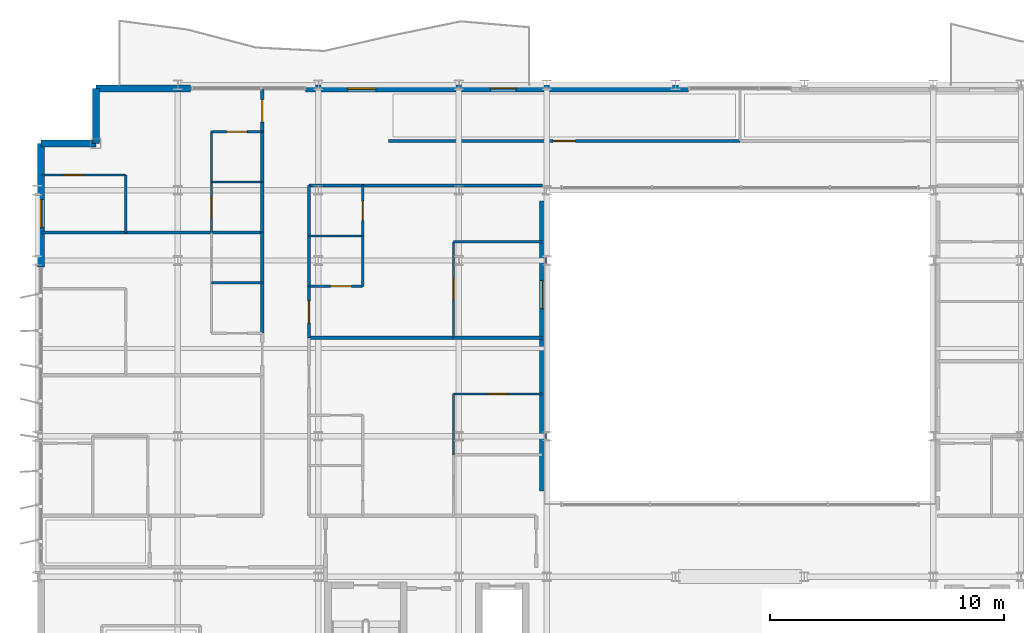
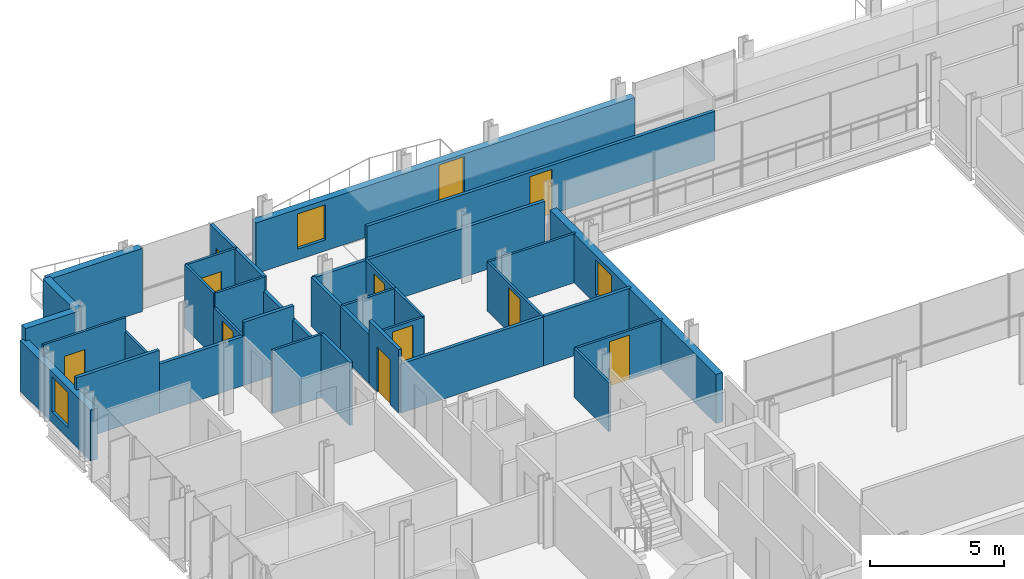
# One storey, part 29 of 39: 37 walls, 11 doors, 3 windows, 14 openings.
"""IFC4 building model written with IfcOpenShell, lengths in metres."""

from ifc_helpers import new_model, si_unit, direction, frame, frame_2d, origin, place, context, subcontext, project, spatial, rectangle, extrude, material, layer, layer_set, type_object, element, fill, save


model = new_model("IFC4")

# Units and contexts
model_context = context("Model", 3, precision=1e-05, world=origin(), true_north=direction((0.0, 1.0)))
body_context = subcontext(model_context, "Body", "Model", "MODEL_VIEW")
ifc_project = project(units=[si_unit("LENGTHUNIT", "METRE"), si_unit("AREAUNIT", "SQUARE_METRE"), si_unit("VOLUMEUNIT", "CUBIC_METRE"), si_unit("PLANEANGLEUNIT", "RADIAN"), si_unit("MASSUNIT", "GRAM", prefix="KILO")], contexts=[model_context])

# Site, building, storey
site_placement = place(None, origin())
site = spatial("IfcSite", under=ifc_project, at=site_placement, CompositionType="ELEMENT")
building_placement = place(site_placement, origin())
building = spatial("IfcBuilding", under=site, at=building_placement, Name="Brevholm Reach", CompositionType="ELEMENT")
storey_placement = place(building_placement, frame((0.0, 0.0, 103.5)))
storey = spatial("IfcBuildingStorey", under=building, at=storey_placement, Name="L30", CompositionType="ELEMENT", Elevation=103.5)

# Walls
ifc_material_1 = material(Name="Concrete C40/50", Category="concrete")
ifc_layer_1 = layer(ifc_material_1, 0.300048828125)
ifc_layer_set_1 = layer_set([ifc_layer_1], Name="Concrete C40/50")
wall_type_1 = type_object("IfcWallType", Name="WAL-EXT-300", PredefinedType="STANDARD", material=ifc_layer_set_1)
for number, where, z_axis, x_axis, name in (
    (1, (2.5, 30.85009765625, 0.0), (0.0, 0.0, 1.0), (0.0, -1.0, 0.0), "L30 Facade Wall WAL-L30-CNW1"),
    (2, (2.5, 28.5, 0.0), (0.0, 0.0, 1.0), (-1.0, 0.0, 0.0), "L30 Facade Wall WAL-L30-CNW2"),
):
    element("IfcWall", number, at=place(storey_placement, frame(where, z_axis=z_axis, x_axis=x_axis)), inside=storey, type_object=wall_type_1, Name=name, PredefinedType="STANDARD", context=body_context, shape_type="SweptSolid", body=[
        extrude(rectangle(XDim=2.35009765625, YDim=0.300048828125, at=frame_2d((1.175048828125, 0.0))), origin(), (0.0, 0.0, 1.0), 2.8798828125),
    ])

# Wall, opening, window
wall_1_placement = place(storey_placement, frame((0.14990234375, 28.5, 0.0), z_axis=(0.0, 0.0, 1.0), x_axis=(0.0, -1.0, 0.0)))
wall_1 = element("IfcWall", 3, at=wall_1_placement, inside=storey, type_object=wall_type_1, Name="L30 Facade Wall WAL-L30-W-N", PredefinedType="STANDARD", context=body_context, shape_type="SweptSolid", body=[
    extrude(rectangle(XDim=5.280029296875, YDim=0.300048828125, at=frame_2d((2.64013671875, 0.0))), origin(), (0.0, 0.0, 1.0), 2.322021484375),
])
opening_1_placement = place(wall_1_placement, frame((2.39990234375, 0.0, 0.501953125)))
opening_1 = element("IfcOpeningElement", 4, at=opening_1_placement, cuts=wall_1, Name="Opening WN-08", PredefinedType="OPENING", context=body_context, shape_type="SweptSolid", body=[
    extrude(rectangle(XDim=1.199951171875, YDim=1.60009765625, at=frame_2d((0.60009765625, 0.800048828125))), frame((0.0, 0.159912109375, 0.0), z_axis=(0.0, -1.0, 0.0), x_axis=(1.0, 0.0, 0.0)), (0.0, 0.0, 1.0), 0.320068359375),
])
ifc_material_2 = material(Name="Dark Anodised Aluminium and Solar-Control IGU Glass", Category="aluminium")
window_type = type_object("IfcWindowType", Name="WIN-RES-1200", PartitioningType="SINGLE_PANEL", PredefinedType="WINDOW", material=ifc_material_2)
window_1_placement = place(opening_1_placement, origin())
window_1 = element("IfcWindow", 5, at=window_1_placement, inside=storey, type_object=window_type, Name="L30 Window WIN-L30-WN-1", OverallHeight=1.60009765625, OverallWidth=1.199951171875, PartitioningType="SINGLE_PANEL", PredefinedType="WINDOW", context=body_context, shape_type="SweptSolid", body=[
    extrude(rectangle(XDim=1.199951171875, YDim=1.60009765625, at=frame_2d((0.60009765625, 0.800048828125))), frame((0.0, 0.030029296875, 0.0), z_axis=(0.0, -1.0, 0.0), x_axis=(1.0, 0.0, 0.0)), (0.0, 0.0, 1.0), 0.06005859375),
])
fill(opening_1, window_1)

# Wall
wall_2_placement = place(storey_placement, frame((2.5, 30.85009765625, 0.0), z_axis=(0.0, 0.0, 1.0), x_axis=(1.0, 0.0, 0.0)))
element("IfcWall", 6, at=wall_2_placement, inside=storey, type_object=wall_type_1, Name="L30 Facade Wall WAL-L30-NP-W0", PredefinedType="STANDARD", context=body_context, shape_type="SweptSolid", body=[
    extrude(rectangle(XDim=4.050048828125, YDim=0.300048828125, at=frame_2d((2.02490234375, 0.0))), origin(), (0.0, 0.0, 1.0), 2.8798828125),
])

# Wall, openings, door, window
wall_3_placement = place(storey_placement, frame((11.449951171875, 30.85009765625, 0.0), z_axis=(0.0, 0.0, 1.0), x_axis=(1.0, 0.0, 0.0)))
wall_3 = element("IfcWall", 7, at=wall_3_placement, inside=storey, type_object=wall_type_1, Name="L30 Facade Wall WAL-L30-NP-WL", PredefinedType="STANDARD", context=body_context, shape_type="SweptSolid", body=[
    extrude(rectangle(XDim=16.35009765625, YDim=0.300048828125, at=frame_2d((8.175048828125, 0.0))), origin(), (0.0, 0.0, 1.0), 2.322021484375),
])
opening_2_placement = place(wall_3_placement, frame((7.89794921875, 0.0, 0.0)))
opening_2 = element("IfcOpeningElement", 8, at=opening_2_placement, cuts=wall_3, Name="Opening BD-01", PredefinedType="OPENING", context=body_context, shape_type="SweptSolid", body=[
    extrude(rectangle(XDim=1.10009765625, YDim=2.199951171875, at=frame_2d((0.550048828125, 1.10009765625))), frame((0.0, 0.159912109375, 0.0), z_axis=(0.0, -1.0, 0.0), x_axis=(1.0, 0.0, 0.0)), (0.0, 0.0, 1.0), 0.320068359375),
])
opening_3_placement = place(wall_3_placement, frame((1.800048828125, 0.0, 0.501953125)))
opening_3 = element("IfcOpeningElement", 9, at=opening_3_placement, cuts=wall_3, Name="Opening WN-08", PredefinedType="OPENING", context=body_context, shape_type="SweptSolid", body=[
    extrude(rectangle(XDim=1.199951171875, YDim=1.60009765625, at=frame_2d((0.60009765625, 0.800048828125))), frame((0.0, 0.159912109375, 0.0), z_axis=(0.0, -1.0, 0.0), x_axis=(1.0, 0.0, 0.0)), (0.0, 0.0, 1.0), 0.320068359375),
])
ifc_material_3 = material(Name="Dark Anodised Aluminium and Triple-Glazed Glass", Category="aluminium")
door_type_1 = type_object("IfcDoorType", Name="DOR-BALC-1100", OperationType="NOTDEFINED", PredefinedType="DOOR", material=ifc_material_3)
door_1_placement = place(opening_2_placement, origin())
door_1 = element("IfcDoor", 10, at=door_1_placement, inside=storey, type_object=door_type_1, Name="L30 Exterior Door DOR-L30-BL-NW", OperationType="SINGLE_SWING_RIGHT", OverallHeight=2.199951171875, OverallWidth=1.10009765625, PredefinedType="DOOR", context=body_context, shape_type="SweptSolid", body=[
    extrude(rectangle(XDim=1.10009765625, YDim=2.199951171875, at=frame_2d((0.550048828125, 1.10009765625))), frame((0.0, 0.02490234375, 0.0), z_axis=(0.0, -1.0, 0.0), x_axis=(1.0, 0.0, 0.0)), (0.0, 0.0, 1.0), 0.050048828125),
])
fill(opening_2, door_1)
window_2_placement = place(opening_3_placement, origin())
window_2 = element("IfcWindow", 11, at=window_2_placement, inside=storey, type_object=window_type, Name="L30 Window WIN-L30-NP-WL1", OverallHeight=1.60009765625, OverallWidth=1.199951171875, PartitioningType="SINGLE_PANEL", PredefinedType="WINDOW", context=body_context, shape_type="SweptSolid", body=[
    extrude(rectangle(XDim=1.199951171875, YDim=1.60009765625, at=frame_2d((0.60009765625, 0.800048828125))), frame((0.0, 0.030029296875, 0.0), z_axis=(0.0, -1.0, 0.0), x_axis=(1.0, 0.0, 0.0)), (0.0, 0.0, 1.0), 0.06005859375),
])
fill(opening_3, window_2)

# Wall, opening, window
wall_4_placement = place(storey_placement, frame((21.60009765625, 26.050048828125, 0.0), z_axis=(0.0, 0.0, 1.0), x_axis=(0.0, -1.0, 0.0)))
wall_4 = element("IfcWall", 12, at=wall_4_placement, inside=storey, type_object=wall_type_1, Name="L30 Facade Wall WAL-L30-AT-W", PredefinedType="STANDARD", context=body_context, shape_type="SweptSolid", body=[
    extrude(rectangle(XDim=12.400146484375, YDim=0.300048828125, at=frame_2d((6.2001953125, 0.0))), origin(), (0.0, 0.0, 1.0), 2.242919921875),
])
opening_4_placement = place(wall_4_placement, frame((3.39990234375, 0.0, 0.423095703125)))
opening_4 = element("IfcOpeningElement", 13, at=opening_4_placement, cuts=wall_4, Name="Opening WN-08", PredefinedType="OPENING", context=body_context, shape_type="SweptSolid", body=[
    extrude(rectangle(XDim=1.199951171875, YDim=1.60009765625, at=frame_2d((0.60009765625, 0.800048828125))), frame((0.0, 0.159912109375, 0.0), z_axis=(0.0, -1.0, 0.0), x_axis=(1.0, 0.0, 0.0)), (0.0, 0.0, 1.0), 0.320068359375),
])
window_3_placement = place(opening_4_placement, origin())
window_3 = element("IfcWindow", 14, at=window_3_placement, inside=storey, type_object=window_type, Name="L30 Window WIN-L30-AT-W1", OverallHeight=1.60009765625, OverallWidth=1.199951171875, PartitioningType="SINGLE_PANEL", PredefinedType="WINDOW", context=body_context, shape_type="SweptSolid", body=[
    extrude(rectangle(XDim=1.199951171875, YDim=1.60009765625, at=frame_2d((0.60009765625, 0.800048828125))), frame((0.0, 0.030029296875, 0.0), z_axis=(0.0, -1.0, 0.0), x_axis=(1.0, 0.0, 0.0)), (0.0, 0.0, 1.0), 0.06005859375),
])
fill(opening_4, window_3)

# Walls
ifc_material_4 = material(Name="Moisture-Resistant Acoustic Gypsum Stud Partition 100 mm", Category="gypsum")
ifc_layer_2 = layer(ifc_material_4, 0.10009765625)
ifc_layer_set_2 = layer_set([ifc_layer_2], Name="Moisture-Resistant Acoustic Gypsum Stud Partition 100 mm")
wall_type_2 = type_object("IfcWallType", Name="WAL-PRT-100", PredefinedType="PARTITIONING", material=ifc_layer_set_2)
for number, where, z_axis, x_axis, name in (
    (15, (7.43798828125, 22.550048828125, 0.0), (0.0, 0.0, 1.0), (1.0, 0.0, 0.0), "L30 Internal Partition 094"),
    (16, (7.43798828125, 26.85009765625, 0.0), (0.0, 0.0, 1.0), (1.0, 0.0, 0.0), "L30 Internal Partition 103"),
):
    element("IfcWall", number, at=place(storey_placement, frame(where, z_axis=z_axis, x_axis=x_axis)), inside=storey, type_object=wall_type_2, Name=name, PredefinedType="PARTITIONING", context=body_context, shape_type="SweptSolid", body=[
        extrude(rectangle(XDim=2.157958984375, YDim=0.10009765625, at=frame_2d((1.0791015625, 0.0))), origin(), (0.0, 0.0, 1.0), 2.8798828125),
    ])

# Wall, opening, door
wall_5_placement = place(storey_placement, frame((7.43798828125, 24.7041015625, 0.0), z_axis=(0.0, 0.0, 1.0), x_axis=(0.0, 1.0, 0.0)))
wall_5 = element("IfcWall", 17, at=wall_5_placement, inside=storey, type_object=wall_type_2, Name="L30 Internal Partition 104", PredefinedType="PARTITIONING", context=body_context, shape_type="SweptSolid", body=[
    extrude(rectangle(XDim=2.14599609375, YDim=0.10009765625, at=frame_2d((1.072998046875, 0.0))), origin(), (0.0, 0.0, 1.0), 2.242919921875),
])
opening_5_placement = place(wall_5_placement, frame((0.6630859375, 0.0, 0.0)))
opening_5 = element("IfcOpeningElement", 18, at=opening_5_placement, cuts=wall_5, Name="Opening ID-03", PredefinedType="OPENING", context=body_context, shape_type="SweptSolid", body=[
    extrude(rectangle(XDim=0.820068359375, YDim=2.02001953125, at=frame_2d((0.41015625, 1.010009765625))), frame((0.0, 0.06005859375, 0.0), z_axis=(0.0, -1.0, 0.0), x_axis=(1.0, 0.0, 0.0)), (0.0, 0.0, 1.0), 0.1201171875),
])
ifc_material_5 = material(Name="Moisture-Resistant Painted Timber Internal Bathroom Door", Category="wood")
door_type_2 = type_object("IfcDoorType", Name="DOR-BATH-820", OperationType="NOTDEFINED", PredefinedType="DOOR", material=ifc_material_5)
door_2_placement = place(opening_5_placement, origin())
door_2 = element("IfcDoor", 19, at=door_2_placement, inside=storey, type_object=door_type_2, Name="L30 Internal Door 037", OperationType="SINGLE_SWING_LEFT", OverallHeight=2.02001953125, OverallWidth=0.820068359375, PredefinedType="DOOR", context=body_context, shape_type="SweptSolid", body=[
    extrude(rectangle(XDim=0.820068359375, YDim=2.02001953125, at=frame_2d((0.41015625, 1.010009765625))), frame((0.0, 0.02490234375, 0.0), z_axis=(0.0, -1.0, 0.0), x_axis=(1.0, 0.0, 0.0)), (0.0, 0.0, 1.0), 0.050048828125),
])
fill(opening_5, door_2)

wall_6_placement = place(storey_placement, frame((7.43798828125, 29.0, 0.0), z_axis=(0.0, 0.0, 1.0), x_axis=(1.0, 0.0, 0.0)))
wall_6 = element("IfcWall", 20, at=wall_6_placement, inside=storey, type_object=wall_type_2, Name="L30 Internal Partition 105", PredefinedType="PARTITIONING", context=body_context, shape_type="SweptSolid", body=[
    extrude(rectangle(XDim=2.157958984375, YDim=0.10009765625, at=frame_2d((1.0791015625, 0.0))), origin(), (0.0, 0.0, 1.0), 2.8798828125),
])
opening_6_placement = place(wall_6_placement, frame((0.638916015625, 0.0, 0.0)))
opening_6 = element("IfcOpeningElement", 21, at=opening_6_placement, cuts=wall_6, Name="Opening ID-01", PredefinedType="OPENING", context=body_context, shape_type="SweptSolid", body=[
    extrude(rectangle(XDim=0.8798828125, YDim=2.0400390625, at=frame_2d((0.43994140625, 1.02001953125))), frame((0.0, 0.06005859375, 0.0), z_axis=(0.0, -1.0, 0.0), x_axis=(1.0, 0.0, 0.0)), (0.0, 0.0, 1.0), 0.1201171875),
])
ifc_material_6 = material(Name="Lacquered Ash Solid-Core Acoustic Internal Door", Category="timber")
door_type_3 = type_object("IfcDoorType", Name="DOR-INT-880", OperationType="NOTDEFINED", PredefinedType="DOOR", material=ifc_material_6)
door_3_placement = place(opening_6_placement, origin())
door_3 = element("IfcDoor", 22, at=door_3_placement, inside=storey, type_object=door_type_3, Name="L30 Internal Door 038", OperationType="SINGLE_SWING_RIGHT", OverallHeight=2.0400390625, OverallWidth=0.8798828125, PredefinedType="DOOR", context=body_context, shape_type="SweptSolid", body=[
    extrude(rectangle(XDim=0.8798828125, YDim=2.0400390625, at=frame_2d((0.43994140625, 1.02001953125))), frame((0.0, 0.02490234375, 0.0), z_axis=(0.0, -1.0, 0.0), x_axis=(1.0, 0.0, 0.0)), (0.0, 0.0, 1.0), 0.050048828125),
])
fill(opening_6, door_3)

# Walls
wall_7_placement = place(storey_placement, frame((7.43798828125, 26.85400390625, 0.0), z_axis=(0.0, 0.0, 1.0), x_axis=(0.0, 1.0, 0.0)))
element("IfcWall", 23, at=wall_7_placement, inside=storey, type_object=wall_type_2, Name="L30 Internal Partition 106", PredefinedType="PARTITIONING", context=body_context, shape_type="SweptSolid", body=[
    extrude(rectangle(XDim=2.14599609375, YDim=0.10009765625, at=frame_2d((1.072998046875, 0.0))), origin(), (0.0, 0.0, 1.0), 2.8798828125),
])
wall_8_placement = place(storey_placement, frame((3.77197265625, 24.7041015625, 0.0), z_axis=(0.0, 0.0, 1.0), x_axis=(0.0, 1.0, 0.0)))
element("IfcWall", 24, at=wall_8_placement, inside=storey, type_object=wall_type_2, Name="L30 Internal Partition 107", PredefinedType="PARTITIONING", context=body_context, shape_type="SweptSolid", body=[
    extrude(rectangle(XDim=2.44580078125, YDim=0.10009765625, at=frame_2d((1.222900390625, 0.0))), origin(), (0.0, 0.0, 1.0), 2.242919921875),
])

# Wall, opening, door
wall_9_placement = place(storey_placement, frame((0.199951171875, 27.14990234375, 0.0), z_axis=(0.0, 0.0, 1.0), x_axis=(1.0, 0.0, 0.0)))
wall_9 = element("IfcWall", 25, at=wall_9_placement, inside=storey, type_object=wall_type_2, Name="L30 Internal Partition 108", PredefinedType="PARTITIONING", context=body_context, shape_type="SweptSolid", body=[
    extrude(rectangle(XDim=3.572021484375, YDim=0.10009765625, at=frame_2d((1.7861328125, 0.0))), origin(), (0.0, 0.0, 1.0), 2.8798828125),
])
opening_7_placement = place(wall_9_placement, frame((0.906005859375, 0.0, 0.0)))
opening_7 = element("IfcOpeningElement", 26, at=opening_7_placement, cuts=wall_9, Name="Opening ID-01", PredefinedType="OPENING", context=body_context, shape_type="SweptSolid", body=[
    extrude(rectangle(XDim=0.8798828125, YDim=2.0400390625, at=frame_2d((0.43994140625, 1.02001953125))), frame((0.0, 0.06005859375, 0.0), z_axis=(0.0, -1.0, 0.0), x_axis=(1.0, 0.0, 0.0)), (0.0, 0.0, 1.0), 0.1201171875),
])
door_4_placement = place(opening_7_placement, origin())
door_4 = element("IfcDoor", 27, at=door_4_placement, inside=storey, type_object=door_type_3, Name="L30 Internal Door 039", OperationType="SINGLE_SWING_LEFT", OverallHeight=2.0400390625, OverallWidth=0.8798828125, PredefinedType="DOOR", context=body_context, shape_type="SweptSolid", body=[
    extrude(rectangle(XDim=0.8798828125, YDim=2.0400390625, at=frame_2d((0.43994140625, 1.02001953125))), frame((0.0, 0.02490234375, 0.0), z_axis=(0.0, -1.0, 0.0), x_axis=(1.0, 0.0, 0.0)), (0.0, 0.0, 1.0), 0.050048828125),
])
fill(opening_7, door_4)

wall_10_placement = place(storey_placement, frame((17.76904296875, 17.800048828125, 0.0), z_axis=(0.0, 0.0, 1.0), x_axis=(1.0, 0.0, 0.0)))
wall_10 = element("IfcWall", 28, at=wall_10_placement, inside=storey, type_object=wall_type_2, Name="L30 Internal Partition 115", PredefinedType="PARTITIONING", context=body_context, shape_type="SweptSolid", body=[
    extrude(rectangle(XDim=3.781005859375, YDim=0.10009765625, at=frame_2d((1.890625, 0.0))), origin(), (0.0, 0.0, 1.0), 2.242919921875),
])
opening_8_placement = place(wall_10_placement, frame((1.450439453125, 0.0, 0.0)))
opening_8 = element("IfcOpeningElement", 29, at=opening_8_placement, cuts=wall_10, Name="Opening ID-01", PredefinedType="OPENING", context=body_context, shape_type="SweptSolid", body=[
    extrude(rectangle(XDim=0.8798828125, YDim=2.0400390625, at=frame_2d((0.43994140625, 1.02001953125))), frame((0.0, 0.06005859375, 0.0), z_axis=(0.0, -1.0, 0.0), x_axis=(1.0, 0.0, 0.0)), (0.0, 0.0, 1.0), 0.1201171875),
])
door_5_placement = place(opening_8_placement, origin())
door_5 = element("IfcDoor", 30, at=door_5_placement, inside=storey, type_object=door_type_3, Name="L30 Internal Door 043", OperationType="SINGLE_SWING_LEFT", OverallHeight=2.0400390625, OverallWidth=0.8798828125, PredefinedType="DOOR", context=body_context, shape_type="SweptSolid", body=[
    extrude(rectangle(XDim=0.8798828125, YDim=2.0400390625, at=frame_2d((0.43994140625, 1.02001953125))), frame((0.0, 0.02490234375, 0.0), z_axis=(0.0, -1.0, 0.0), x_axis=(1.0, 0.0, 0.0)), (0.0, 0.0, 1.0), 0.050048828125),
])
fill(opening_8, door_5)

# Walls
wall_11_placement = place(storey_placement, frame((17.76904296875, 15.2041015625, 0.0), z_axis=(0.0, 0.0, 1.0), x_axis=(0.0, 1.0, 0.0)))
element("IfcWall", 31, at=wall_11_placement, inside=storey, type_object=wall_type_2, Name="L30 Internal Partition 116", PredefinedType="PARTITIONING", context=body_context, shape_type="SweptSolid", body=[
    extrude(rectangle(XDim=2.595947265625, YDim=0.10009765625, at=frame_2d((1.2978515625, 0.0))), origin(), (0.0, 0.0, 1.0), 2.242919921875),
])
wall_12_placement = place(storey_placement, frame((11.60400390625, 24.550048828125, 0.0), z_axis=(0.0, 0.0, 1.0), x_axis=(1.0, 0.0, 0.0)))
element("IfcWall", 32, at=wall_12_placement, inside=storey, type_object=wall_type_2, Name="L30 Internal Partition 119", PredefinedType="PARTITIONING", context=body_context, shape_type="SweptSolid", body=[
    extrude(rectangle(XDim=2.284912109375, YDim=0.10009765625, at=frame_2d((1.142578125, 0.0))), origin(), (0.0, 0.0, 1.0), 2.242919921875),
])

# Wall, opening, door
wall_13_placement = place(storey_placement, frame((13.888916015625, 24.550048828125, 0.0), z_axis=(0.0, 0.0, 1.0), x_axis=(0.0, 1.0, 0.0)))
wall_13 = element("IfcWall", 33, at=wall_13_placement, inside=storey, type_object=wall_type_2, Name="L30 Internal Partition 120", PredefinedType="PARTITIONING", context=body_context, shape_type="SweptSolid", body=[
    extrude(rectangle(XDim=2.14599609375, YDim=0.10009765625, at=frame_2d((1.072998046875, 0.0))), origin(), (0.0, 0.0, 1.0), 2.242919921875),
])
opening_9_placement = place(wall_13_placement, frame((0.6630859375, 0.0, 0.0)))
opening_9 = element("IfcOpeningElement", 34, at=opening_9_placement, cuts=wall_13, Name="Opening ID-03", PredefinedType="OPENING", context=body_context, shape_type="SweptSolid", body=[
    extrude(rectangle(XDim=0.820068359375, YDim=2.02001953125, at=frame_2d((0.41015625, 1.010009765625))), frame((0.0, 0.06005859375, 0.0), z_axis=(0.0, -1.0, 0.0), x_axis=(1.0, 0.0, 0.0)), (0.0, 0.0, 1.0), 0.1201171875),
])
door_6_placement = place(opening_9_placement, origin())
door_6 = element("IfcDoor", 35, at=door_6_placement, inside=storey, type_object=door_type_2, Name="L30 Internal Door 044", OperationType="SINGLE_SWING_RIGHT", OverallHeight=2.02001953125, OverallWidth=0.820068359375, PredefinedType="DOOR", context=body_context, shape_type="SweptSolid", body=[
    extrude(rectangle(XDim=0.820068359375, YDim=2.02001953125, at=frame_2d((0.41015625, 1.010009765625))), frame((0.0, 0.02490234375, 0.0), z_axis=(0.0, -1.0, 0.0), x_axis=(1.0, 0.0, 0.0)), (0.0, 0.0, 1.0), 0.050048828125),
])
fill(opening_9, door_6)

wall_14_placement = place(storey_placement, frame((11.60400390625, 22.39990234375, 0.0), z_axis=(0.0, 0.0, 1.0), x_axis=(1.0, 0.0, 0.0)))
wall_14 = element("IfcWall", 36, at=wall_14_placement, inside=storey, type_object=wall_type_2, Name="L30 Internal Partition 121", PredefinedType="PARTITIONING", context=body_context, shape_type="SweptSolid", body=[
    extrude(rectangle(XDim=2.284912109375, YDim=0.10009765625, at=frame_2d((1.142578125, 0.0))), origin(), (0.0, 0.0, 1.0), 2.242919921875),
])
opening_10_placement = place(wall_14_placement, frame((0.922607421875, 0.0, 0.0)))
opening_10 = element("IfcOpeningElement", 37, at=opening_10_placement, cuts=wall_14, Name="Opening ID-01", PredefinedType="OPENING", context=body_context, shape_type="SweptSolid", body=[
    extrude(rectangle(XDim=0.8798828125, YDim=2.0400390625, at=frame_2d((0.43994140625, 1.02001953125))), frame((0.0, 0.06005859375, 0.0), z_axis=(0.0, -1.0, 0.0), x_axis=(1.0, 0.0, 0.0)), (0.0, 0.0, 1.0), 0.1201171875),
])
door_7_placement = place(opening_10_placement, origin())
door_7 = element("IfcDoor", 38, at=door_7_placement, inside=storey, type_object=door_type_3, Name="L30 Internal Door 045", OperationType="SINGLE_SWING_LEFT", OverallHeight=2.0400390625, OverallWidth=0.8798828125, PredefinedType="DOOR", context=body_context, shape_type="SweptSolid", body=[
    extrude(rectangle(XDim=0.8798828125, YDim=2.0400390625, at=frame_2d((0.43994140625, 1.02001953125))), frame((0.0, 0.02490234375, 0.0), z_axis=(0.0, -1.0, 0.0), x_axis=(1.0, 0.0, 0.0)), (0.0, 0.0, 1.0), 0.050048828125),
])
fill(opening_10, door_7)

# Walls
wall_15_placement = place(storey_placement, frame((13.888916015625, 22.39990234375, 0.0), z_axis=(0.0, 0.0, 1.0), x_axis=(0.0, 1.0, 0.0)))
element("IfcWall", 39, at=wall_15_placement, inside=storey, type_object=wall_type_2, Name="L30 Internal Partition 122", PredefinedType="PARTITIONING", context=body_context, shape_type="SweptSolid", body=[
    extrude(rectangle(XDim=2.14599609375, YDim=0.10009765625, at=frame_2d((1.072998046875, 0.0))), origin(), (0.0, 0.0, 1.0), 2.242919921875),
])
wall_16_placement = place(storey_placement, frame((17.76904296875, 24.300048828125, 0.0), z_axis=(0.0, 0.0, 1.0), x_axis=(1.0, 0.0, 0.0)))
element("IfcWall", 40, at=wall_16_placement, inside=storey, type_object=wall_type_2, Name="L30 Internal Partition 123", PredefinedType="PARTITIONING", context=body_context, shape_type="SweptSolid", body=[
    extrude(rectangle(XDim=3.781005859375, YDim=0.10009765625, at=frame_2d((1.890625, 0.0))), origin(), (0.0, 0.0, 1.0), 2.242919921875),
])

# Wall, opening, door
wall_17_placement = place(storey_placement, frame((17.76904296875, 20.2041015625, 0.0), z_axis=(0.0, 0.0, 1.0), x_axis=(0.0, 1.0, 0.0)))
wall_17 = element("IfcWall", 41, at=wall_17_placement, inside=storey, type_object=wall_type_2, Name="L30 Internal Partition 124", PredefinedType="PARTITIONING", context=body_context, shape_type="SweptSolid", body=[
    extrude(rectangle(XDim=4.095947265625, YDim=0.10009765625, at=frame_2d((2.0478515625, 0.0))), origin(), (0.0, 0.0, 1.0), 2.242919921875),
])
opening_11_placement = place(wall_17_placement, frame((1.60791015625, 0.0, 0.0)))
opening_11 = element("IfcOpeningElement", 42, at=opening_11_placement, cuts=wall_17, Name="Opening ID-01", PredefinedType="OPENING", context=body_context, shape_type="SweptSolid", body=[
    extrude(rectangle(XDim=0.8798828125, YDim=2.0400390625, at=frame_2d((0.43994140625, 1.02001953125))), frame((0.0, 0.06005859375, 0.0), z_axis=(0.0, -1.0, 0.0), x_axis=(1.0, 0.0, 0.0)), (0.0, 0.0, 1.0), 0.1201171875),
])
door_8_placement = place(opening_11_placement, origin())
door_8 = element("IfcDoor", 43, at=door_8_placement, inside=storey, type_object=door_type_3, Name="L30 Internal Door 046", OperationType="SINGLE_SWING_RIGHT", OverallHeight=2.0400390625, OverallWidth=0.8798828125, PredefinedType="DOOR", context=body_context, shape_type="SweptSolid", body=[
    extrude(rectangle(XDim=0.8798828125, YDim=2.0400390625, at=frame_2d((0.43994140625, 1.02001953125))), frame((0.0, 0.02490234375, 0.0), z_axis=(0.0, -1.0, 0.0), x_axis=(1.0, 0.0, 0.0)), (0.0, 0.0, 1.0), 0.050048828125),
])
fill(opening_11, door_8)

# Walls
ifc_material_7 = material(Name="Twin-Stud Acoustic Fire-Rated Gypsum Partition 140 mm", Category="gypsum")
ifc_layer_3 = layer(ifc_material_7, 0.139892578125)
ifc_layer_set_3 = layer_set([ifc_layer_3], Name="Twin-Stud Acoustic Fire-Rated Gypsum Partition 140 mm")
wall_type_3 = type_object("IfcWallType", Name="WAL-PRT-140", PredefinedType="PARTITIONING", material=ifc_layer_set_3)
wall_18_placement = place(storey_placement, frame((9.60009765625, 22.538818359375, 0.0), z_axis=(0.0, 0.0, 1.0), x_axis=(0.0, 1.0, 0.0)))
element("IfcWall", 44, at=wall_18_placement, inside=storey, type_object=wall_type_3, Name="L30 Internal Partition 032", PredefinedType="PARTITIONING", context=body_context, shape_type="SweptSolid", body=[
    extrude(rectangle(XDim=2.17236328125, YDim=0.139892578125, at=frame_2d((1.086181640625, 0.0))), origin(), (0.0, 0.0, 1.0), 2.242919921875),
])
wall_19_placement = place(storey_placement, frame((9.60009765625, 20.388671875, 0.0), z_axis=(0.0, 0.0, 1.0), x_axis=(0.0, 1.0, 0.0)))
element("IfcWall", 45, at=wall_19_placement, inside=storey, type_object=wall_type_3, Name="L30 Internal Partition 033", PredefinedType="PARTITIONING", context=body_context, shape_type="SweptSolid", body=[
    extrude(rectangle(XDim=2.168701171875, YDim=0.139892578125, at=frame_2d((1.08447265625, 0.0))), origin(), (0.0, 0.0, 1.0), 2.8798828125),
])
wall_20_placement = place(storey_placement, frame((9.60009765625, 24.692626953125, 0.0), z_axis=(0.0, 0.0, 1.0), x_axis=(0.0, 1.0, 0.0)))
element("IfcWall", 46, at=wall_20_placement, inside=storey, type_object=wall_type_3, Name="L30 Internal Partition 035", PredefinedType="PARTITIONING", context=body_context, shape_type="SweptSolid", body=[
    extrude(rectangle(XDim=2.168701171875, YDim=0.139892578125, at=frame_2d((1.08447265625, 0.0))), origin(), (0.0, 0.0, 1.0), 2.242919921875),
])
wall_21_placement = place(storey_placement, frame((9.60009765625, 26.8427734375, 0.0), z_axis=(0.0, 0.0, 1.0), x_axis=(0.0, 1.0, 0.0)))
element("IfcWall", 47, at=wall_21_placement, inside=storey, type_object=wall_type_3, Name="L30 Internal Partition 036", PredefinedType="PARTITIONING", context=body_context, shape_type="SweptSolid", body=[
    extrude(rectangle(XDim=2.16845703125, YDim=0.139892578125, at=frame_2d((1.084228515625, 0.0))), origin(), (0.0, 0.0, 1.0), 2.8798828125),
])

# Wall, opening, door
wall_22_placement = place(storey_placement, frame((9.60009765625, 28.99267578125, 0.0), z_axis=(0.0, 0.0, 1.0), x_axis=(0.0, 1.0, 0.0)))
wall_22 = element("IfcWall", 48, at=wall_22_placement, inside=storey, type_object=wall_type_3, Name="L30 Internal Partition 037", PredefinedType="PARTITIONING", context=body_context, shape_type="SweptSolid", body=[
    extrude(rectangle(XDim=1.807373046875, YDim=0.139892578125, at=frame_2d((0.90380859375, 0.0))), origin(), (0.0, 0.0, 1.0), 2.8798828125),
])
opening_12_placement = place(wall_22_placement, frame((0.4287109375, 0.0, 0.0)))
opening_12 = element("IfcOpeningElement", 49, at=opening_12_placement, cuts=wall_22, Name="Opening ID-30", PredefinedType="OPENING", context=body_context, shape_type="SweptSolid", body=[
    extrude(rectangle(XDim=0.949951171875, YDim=2.050048828125, at=frame_2d((0.47509765625, 1.02490234375))), frame((0.0, 0.079833984375, 0.0), z_axis=(0.0, -1.0, 0.0), x_axis=(1.0, 0.0, 0.0)), (0.0, 0.0, 1.0), 0.159912109375),
])
ifc_material_8 = material(Name="European Oak Veneered Solid-Core Fire Entrance Door", Category="timber")
door_type_4 = type_object("IfcDoorType", Name="DOR-FLT-FD30S", OperationType="NOTDEFINED", PredefinedType="DOOR", material=ifc_material_8)
door_9_placement = place(opening_12_placement, origin())
door_9 = element("IfcDoor", 50, at=door_9_placement, inside=storey, type_object=door_type_4, Name="L30 Internal Door 016", OperationType="SINGLE_SWING_RIGHT", OverallHeight=2.050048828125, OverallWidth=0.949951171875, PredefinedType="DOOR", context=body_context, shape_type="SweptSolid", body=[
    extrude(rectangle(XDim=0.949951171875, YDim=2.050048828125, at=frame_2d((0.47509765625, 1.02490234375))), frame((0.0, 0.02490234375, 0.0), z_axis=(0.0, -1.0, 0.0), x_axis=(1.0, 0.0, 0.0)), (0.0, 0.0, 1.0), 0.050048828125),
])
fill(opening_12, door_9)

# Walls
wall_23_placement = place(storey_placement, frame((11.60009765625, 24.538818359375, 0.0), z_axis=(0.0, 0.0, 1.0), x_axis=(0.0, 1.0, 0.0)))
element("IfcWall", 51, at=wall_23_placement, inside=storey, type_object=wall_type_3, Name="L30 Internal Partition 041", PredefinedType="PARTITIONING", context=body_context, shape_type="SweptSolid", body=[
    extrude(rectangle(XDim=2.16845703125, YDim=0.139892578125, at=frame_2d((1.084228515625, 0.0))), origin(), (0.0, 0.0, 1.0), 2.242919921875),
])
wall_24_placement = place(storey_placement, frame((11.60009765625, 22.388671875, 0.0), z_axis=(0.0, 0.0, 1.0), x_axis=(0.0, 1.0, 0.0)))
element("IfcWall", 52, at=wall_24_placement, inside=storey, type_object=wall_type_3, Name="L30 Internal Partition 042", PredefinedType="PARTITIONING", context=body_context, shape_type="SweptSolid", body=[
    extrude(rectangle(XDim=2.168701171875, YDim=0.139892578125, at=frame_2d((1.08447265625, 0.0))), origin(), (0.0, 0.0, 1.0), 2.242919921875),
])

# Wall, opening, door
wall_25_placement = place(storey_placement, frame((11.60009765625, 20.192626953125, 0.0), z_axis=(0.0, 0.0, 1.0), x_axis=(0.0, 1.0, 0.0)))
wall_25 = element("IfcWall", 53, at=wall_25_placement, inside=storey, type_object=wall_type_3, Name="L30 Internal Partition 043", PredefinedType="PARTITIONING", context=body_context, shape_type="SweptSolid", body=[
    extrude(rectangle(XDim=2.214599609375, YDim=0.139892578125, at=frame_2d((1.107421875, 0.0))), origin(), (0.0, 0.0, 1.0), 2.8798828125),
])
opening_13_placement = place(wall_25_placement, frame((0.63232421875, 0.0, 0.0)))
opening_13 = element("IfcOpeningElement", 54, at=opening_13_placement, cuts=wall_25, Name="Opening ID-30", PredefinedType="OPENING", context=body_context, shape_type="SweptSolid", body=[
    extrude(rectangle(XDim=0.949951171875, YDim=2.050048828125, at=frame_2d((0.47509765625, 1.02490234375))), frame((0.0, 0.079833984375, 0.0), z_axis=(0.0, -1.0, 0.0), x_axis=(1.0, 0.0, 0.0)), (0.0, 0.0, 1.0), 0.159912109375),
])
door_10_placement = place(opening_13_placement, origin())
door_10 = element("IfcDoor", 55, at=door_10_placement, inside=storey, type_object=door_type_4, Name="L30 Internal Door 018", OperationType="SINGLE_SWING_RIGHT", OverallHeight=2.050048828125, OverallWidth=0.949951171875, PredefinedType="DOOR", context=body_context, shape_type="SweptSolid", body=[
    extrude(rectangle(XDim=0.949951171875, YDim=2.050048828125, at=frame_2d((0.47509765625, 1.02490234375))), frame((0.0, 0.02490234375, 0.0), z_axis=(0.0, -1.0, 0.0), x_axis=(1.0, 0.0, 0.0)), (0.0, 0.0, 1.0), 0.050048828125),
])
fill(opening_13, door_10)

# Walls
wall_26_placement = place(storey_placement, frame((11.60400390625, 26.699951171875, 0.0), z_axis=(0.0, 0.0, 1.0), x_axis=(1.0, 0.0, 0.0)))
element("IfcWall", 56, at=wall_26_placement, inside=storey, type_object=wall_type_3, Name="L30 Internal Partition 057", PredefinedType="PARTITIONING", context=body_context, shape_type="SweptSolid", body=[
    extrude(rectangle(XDim=2.29638671875, YDim=0.139892578125, at=frame_2d((1.148193359375, 0.0))), origin(), (0.0, 0.0, 1.0), 2.242919921875),
])
wall_27_placement = place(storey_placement, frame((13.881591796875, 26.699951171875, 0.0), z_axis=(0.0, 0.0, 1.0), x_axis=(1.0, 0.0, 0.0)))
element("IfcWall", 57, at=wall_27_placement, inside=storey, type_object=wall_type_3, Name="L30 Internal Partition 058", PredefinedType="PARTITIONING", context=body_context, shape_type="SweptSolid", body=[
    extrude(rectangle(XDim=7.6796875, YDim=0.139892578125, at=frame_2d((3.83984375, 0.0))), origin(), (0.0, 0.0, 1.0), 2.242919921875),
])

# Wall, opening, door
wall_28_placement = place(storey_placement, frame((14.98876953125, 28.60009765625, 0.0), z_axis=(0.0, 0.0, 1.0), x_axis=(1.0, 0.0, 0.0)))
wall_28 = element("IfcWall", 58, at=wall_28_placement, inside=storey, type_object=wall_type_3, Name="L30 Internal Partition 061", PredefinedType="PARTITIONING", context=body_context, shape_type="SweptSolid", body=[
    extrude(rectangle(XDim=15.0224609375, YDim=0.139892578125, at=frame_2d((7.51123046875, 0.0))), origin(), (0.0, 0.0, 1.0), 2.242919921875),
])
opening_14_placement = place(wall_28_placement, frame((7.036376953125, 0.0, 0.0)))
opening_14 = element("IfcOpeningElement", 59, at=opening_14_placement, cuts=wall_28, Name="Opening ID-30", PredefinedType="OPENING", context=body_context, shape_type="SweptSolid", body=[
    extrude(rectangle(XDim=0.949951171875, YDim=2.050048828125, at=frame_2d((0.47509765625, 1.02490234375))), frame((0.0, 0.079833984375, 0.0), z_axis=(0.0, -1.0, 0.0), x_axis=(1.0, 0.0, 0.0)), (0.0, 0.0, 1.0), 0.159912109375),
])
door_11_placement = place(opening_14_placement, origin())
door_11 = element("IfcDoor", 60, at=door_11_placement, inside=storey, type_object=door_type_4, Name="L30 Internal Door 023", OperationType="SINGLE_SWING_LEFT", OverallHeight=2.050048828125, OverallWidth=0.949951171875, PredefinedType="DOOR", context=body_context, shape_type="SweptSolid", body=[
    extrude(rectangle(XDim=0.949951171875, YDim=2.050048828125, at=frame_2d((0.47509765625, 1.02490234375))), frame((0.0, 0.02490234375, 0.0), z_axis=(0.0, -1.0, 0.0), x_axis=(1.0, 0.0, 0.0)), (0.0, 0.0, 1.0), 0.050048828125),
])
fill(opening_14, door_11)

# Walls
wall_29_placement = place(storey_placement, frame((7.43798828125, 24.699951171875, 0.0), z_axis=(0.0, 0.0, 1.0), x_axis=(1.0, 0.0, 0.0)))
element("IfcWall", 61, at=wall_29_placement, inside=storey, type_object=wall_type_3, Name="L30 Internal Partition 096", PredefinedType="PARTITIONING", context=body_context, shape_type="SweptSolid", body=[
    extrude(rectangle(XDim=2.157958984375, YDim=0.139892578125, at=frame_2d((1.0791015625, 0.0))), origin(), (0.0, 0.0, 1.0), 2.8798828125),
])
wall_30_placement = place(storey_placement, frame((0.199951171875, 24.699951171875, 0.0), z_axis=(0.0, 0.0, 1.0), x_axis=(1.0, 0.0, 0.0)))
element("IfcWall", 62, at=wall_30_placement, inside=storey, type_object=wall_type_3, Name="L30 Internal Partition 101", PredefinedType="PARTITIONING", context=body_context, shape_type="SweptSolid", body=[
    extrude(rectangle(XDim=3.583251953125, YDim=0.139892578125, at=frame_2d((1.79150390625, 0.0))), origin(), (0.0, 0.0, 1.0), 2.8798828125),
])
wall_31_placement = place(storey_placement, frame((3.7646484375, 24.699951171875, 0.0), z_axis=(0.0, 0.0, 1.0), x_axis=(1.0, 0.0, 0.0)))
element("IfcWall", 63, at=wall_31_placement, inside=storey, type_object=wall_type_3, Name="L30 Internal Partition 102", PredefinedType="PARTITIONING", context=body_context, shape_type="SweptSolid", body=[
    extrude(rectangle(XDim=3.66943359375, YDim=0.139892578125, at=frame_2d((1.834716796875, 0.0))), origin(), (0.0, 0.0, 1.0), 2.242919921875),
])
wall_32_placement = place(storey_placement, frame((17.7578125, 20.199951171875, 0.0), z_axis=(0.0, 0.0, 1.0), x_axis=(1.0, 0.0, 0.0)))
element("IfcWall", 64, at=wall_32_placement, inside=storey, type_object=wall_type_3, Name="L30 Internal Partition 117", PredefinedType="PARTITIONING", context=body_context, shape_type="SweptSolid", body=[
    extrude(rectangle(XDim=3.792236328125, YDim=0.139892578125, at=frame_2d((1.89599609375, 0.0))), origin(), (0.0, 0.0, 1.0), 2.242919921875),
])
wall_33_placement = place(storey_placement, frame((11.60400390625, 20.199951171875, 0.0), z_axis=(0.0, 0.0, 1.0), x_axis=(1.0, 0.0, 0.0)))
element("IfcWall", 65, at=wall_33_placement, inside=storey, type_object=wall_type_3, Name="L30 Internal Partition 118", PredefinedType="PARTITIONING", context=body_context, shape_type="SweptSolid", body=[
    extrude(rectangle(XDim=6.17236328125, YDim=0.139892578125, at=frame_2d((3.086181640625, 0.0))), origin(), (0.0, 0.0, 1.0), 2.242919921875),
])

save(model, "model.ifc")
